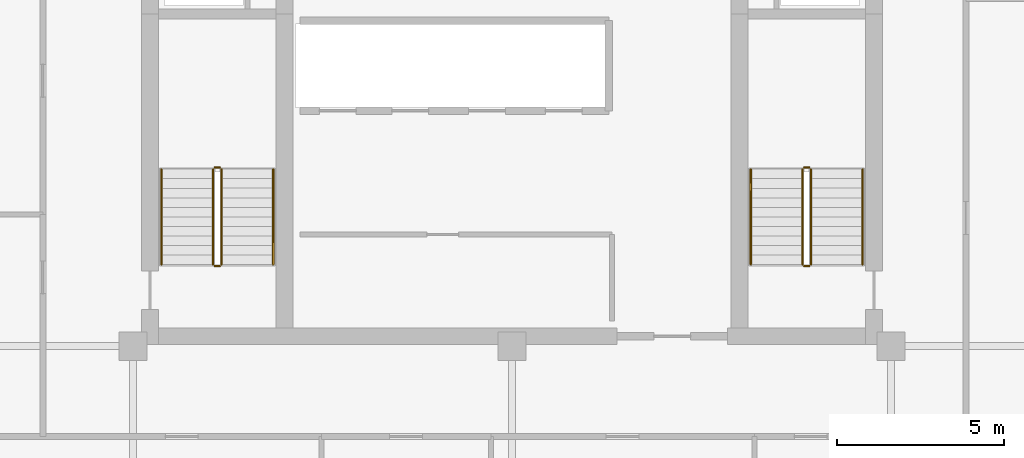
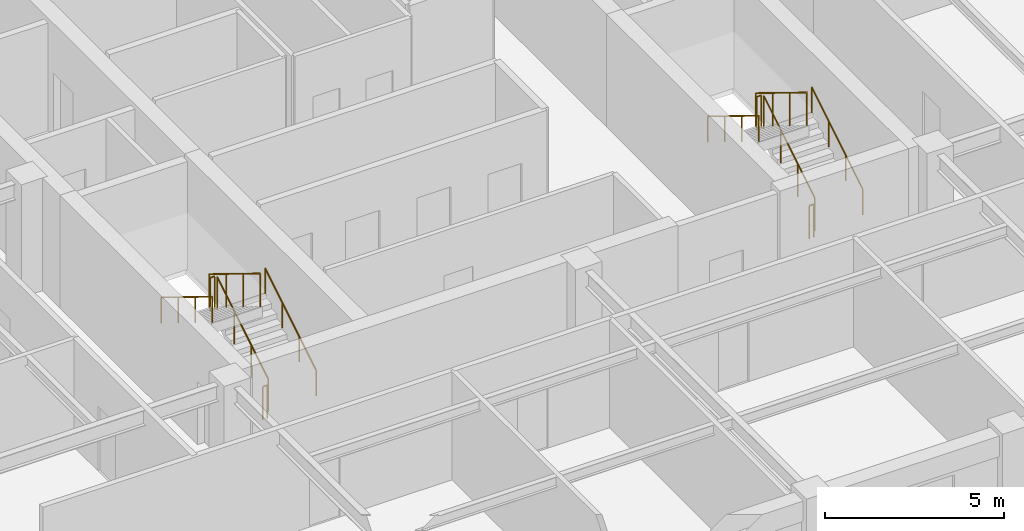
# One storey, part 6 of 6: 12 railings.
"""IFC4 building model written with IfcOpenShell, lengths in metres."""

from ifc_helpers import new_model, si_unit, direction, frame, origin, origin_2d, place, context, subcontext, project, spatial, circle, extrude, material, type_object, element, save


model = new_model("IFC4")

# Units and contexts
model_context = context("Model", 3, precision=1e-05, world=origin(), true_north=direction((0.0, 1.0)))
body_context = subcontext(model_context, "Body", "Model", "MODEL_VIEW")
ifc_project = project(units=[si_unit("LENGTHUNIT", "METRE"), si_unit("AREAUNIT", "SQUARE_METRE"), si_unit("VOLUMEUNIT", "CUBIC_METRE"), si_unit("PLANEANGLEUNIT", "RADIAN"), si_unit("MASSUNIT", "GRAM", prefix="KILO")], contexts=[model_context])

# Site, building, storey
site_placement = place(None, origin())
site = spatial("IfcSite", under=ifc_project, at=site_placement, CompositionType="ELEMENT")
building_placement = place(site_placement, origin())
building = spatial("IfcBuilding", under=site, at=building_placement, Name="Nhamokura Convention Tower", CompositionType="ELEMENT")
storey_placement = place(building_placement, frame((0.0, 0.0, 225.39990234375)))
storey = spatial("IfcBuildingStorey", under=building, at=storey_placement, Name="L55", CompositionType="ELEMENT", Elevation=225.39990234375)

# Railings
ifc_material_1 = material(Name="Anodised bronze stainless steel", Category="steel")
railing_type_1 = type_object("IfcRailingType", Name="StairWallHandrail_900", PredefinedType="HANDRAIL", material=ifc_material_1)
railing_1_placement = place(storey_placement, frame((24.85009765625, 23.10009765625, 0.175048828125)))
element("IfcRailing", 1, at=railing_1_placement, inside=storey, type_object=railing_type_1, Name="L55 ST-01 stair handrail 1", PredefinedType="HANDRAIL", context=body_context, shape_type="SweptSolid", body=[
    extrude(circle(Radius=0.02392578125, at=origin_2d()), frame((0.0, 0.0, 0.8759765625), z_axis=(0.0, 0.852159232446, 0.523282564737), x_axis=(-1.0, 0.0, 0.0)), (0.0, 0.0, 1.0), 3.34423828125),
    extrude(circle(Radius=0.02099609375, at=origin_2d()), origin(), (0.0, 0.0, 1.0), 0.851806640625),
    extrude(circle(Radius=0.02099609375, at=origin_2d()), frame((0.0, 0.949951171875, 0.583251953125)), (0.0, 0.0, 1.0), 0.851806640625),
    extrude(circle(Radius=0.02099609375, at=origin_2d()), frame((0.0, 1.89990234375, 1.166748046875)), (0.0, 0.0, 1.0), 0.851806640625),
    extrude(circle(Radius=0.02099609375, at=origin_2d()), frame((0.0, 2.849853515625, 1.75)), (0.0, 0.0, 1.0), 0.851806640625),
])
railing_2_placement = place(storey_placement, frame((21.5, 25.949951171875, 2.10009765625)))
element("IfcRailing", 2, at=railing_2_placement, inside=storey, type_object=railing_type_1, Name="L55 ST-01 stair handrail 2", PredefinedType="HANDRAIL", context=body_context, shape_type="SweptSolid", body=[
    extrude(circle(Radius=0.02392578125, at=origin_2d()), frame((0.0, 0.0, 0.8759765625), z_axis=(0.0, -0.852159232446, 0.523282564737), x_axis=(1.0, 0.0, 0.0)), (0.0, 0.0, 1.0), 3.34423828125),
    extrude(circle(Radius=0.02099609375, at=origin_2d()), origin(), (0.0, 0.0, 1.0), 0.851806640625),
    extrude(circle(Radius=0.02099609375, at=origin_2d()), frame((0.0, -0.949951171875, 0.583251953125)), (0.0, 0.0, 1.0), 0.851806640625),
    extrude(circle(Radius=0.02099609375, at=origin_2d()), frame((0.0, -1.89990234375, 1.166748046875)), (0.0, 0.0, 1.0), 0.851806640625),
    extrude(circle(Radius=0.02099609375, at=origin_2d()), frame((0.0, -2.849853515625, 1.75)), (0.0, 0.0, 1.0), 0.851806640625),
])
railing_3_placement = place(storey_placement, frame((42.5, 23.10009765625, 0.175048828125)))
element("IfcRailing", 3, at=railing_3_placement, inside=storey, type_object=railing_type_1, Name="L55 ST-02 stair handrail 1", PredefinedType="HANDRAIL", context=body_context, shape_type="SweptSolid", body=[
    extrude(circle(Radius=0.02392578125, at=origin_2d()), frame((0.0, 0.0, 0.8759765625), z_axis=(0.0, 0.852159232446, 0.523282564737), x_axis=(-1.0, 0.0, 0.0)), (0.0, 0.0, 1.0), 3.34423828125),
    extrude(circle(Radius=0.02099609375, at=origin_2d()), origin(), (0.0, 0.0, 1.0), 0.851806640625),
    extrude(circle(Radius=0.02099609375, at=origin_2d()), frame((0.0, 0.949951171875, 0.583251953125)), (0.0, 0.0, 1.0), 0.851806640625),
    extrude(circle(Radius=0.02099609375, at=origin_2d()), frame((0.0, 1.89990234375, 1.166748046875)), (0.0, 0.0, 1.0), 0.851806640625),
    extrude(circle(Radius=0.02099609375, at=origin_2d()), frame((0.0, 2.849853515625, 1.75)), (0.0, 0.0, 1.0), 0.851806640625),
])
railing_4_placement = place(storey_placement, frame((39.14990234375, 25.949951171875, 2.10009765625)))
element("IfcRailing", 4, at=railing_4_placement, inside=storey, type_object=railing_type_1, Name="L55 ST-02 stair handrail 2", PredefinedType="HANDRAIL", context=body_context, shape_type="SweptSolid", body=[
    extrude(circle(Radius=0.02392578125, at=origin_2d()), frame((0.0, 0.0, 0.8759765625), z_axis=(0.0, -0.852159232446, 0.523282564737), x_axis=(1.0, 0.0, 0.0)), (0.0, 0.0, 1.0), 3.34423828125),
    extrude(circle(Radius=0.02099609375, at=origin_2d()), origin(), (0.0, 0.0, 1.0), 0.851806640625),
    extrude(circle(Radius=0.02099609375, at=origin_2d()), frame((0.0, -0.949951171875, 0.583251953125)), (0.0, 0.0, 1.0), 0.851806640625),
    extrude(circle(Radius=0.02099609375, at=origin_2d()), frame((0.0, -1.89990234375, 1.166748046875)), (0.0, 0.0, 1.0), 0.851806640625),
    extrude(circle(Radius=0.02099609375, at=origin_2d()), frame((0.0, -2.849853515625, 1.75)), (0.0, 0.0, 1.0), 0.851806640625),
])
ifc_material_2 = material(Name="Painted tubular steel", Category="steel")
railing_type_2 = type_object("IfcRailingType", Name="StairWellGuardrail_1150", PredefinedType="GUARDRAIL", material=ifc_material_2)
railing_5_placement = place(storey_placement, frame((23.300048828125, 23.10009765625, 0.175048828125)))
element("IfcRailing", 5, at=railing_5_placement, inside=storey, type_object=railing_type_2, Name="L55 ST-01 stair guard 1", PredefinedType="GUARDRAIL", context=body_context, shape_type="SweptSolid", body=[
    extrude(circle(Radius=0.02392578125, at=origin_2d()), frame((0.0, 0.0, 1.1259765625), z_axis=(0.0, 0.852159232446, 0.523282564737), x_axis=(-1.0, 0.0, 0.0)), (0.0, 0.0, 1.0), 3.34423828125),
    extrude(circle(Radius=0.02099609375, at=origin_2d()), origin(), (0.0, 0.0, 1.0), 1.101806640625),
    extrude(circle(Radius=0.02099609375, at=origin_2d()), frame((0.0, 0.949951171875, 0.583251953125)), (0.0, 0.0, 1.0), 1.101806640625),
    extrude(circle(Radius=0.02099609375, at=origin_2d()), frame((0.0, 1.89990234375, 1.166748046875)), (0.0, 0.0, 1.0), 1.101806640625),
    extrude(circle(Radius=0.02099609375, at=origin_2d()), frame((0.0, 2.849853515625, 1.75)), (0.0, 0.0, 1.0), 1.101806640625),
])
railing_6_placement = place(storey_placement, frame((23.25, 26.0, 1.925048828125)))
element("IfcRailing", 6, at=railing_6_placement, inside=storey, type_object=railing_type_2, Name="L55 ST-01 stair guard 2", PredefinedType="GUARDRAIL", context=body_context, shape_type="SweptSolid", body=[
    extrude(circle(Radius=0.02392578125, at=origin_2d()), frame((0.0, 0.0, 1.1259765625), z_axis=(-1.0, 0.0, 0.0), x_axis=(0.0, -1.0, 0.0)), (0.0, 0.0, 1.0), 0.14990234375),
    extrude(circle(Radius=0.02099609375, at=origin_2d()), origin(), (0.0, 0.0, 1.0), 1.101806640625),
    extrude(circle(Radius=0.02099609375, at=origin_2d()), frame((-0.14990234375, 0.0, 0.0)), (0.0, 0.0, 1.0), 1.101806640625),
])
railing_7_placement = place(storey_placement, frame((23.050048828125, 25.949951171875, 2.10009765625)))
element("IfcRailing", 7, at=railing_7_placement, inside=storey, type_object=railing_type_2, Name="L55 ST-01 stair guard 3", PredefinedType="GUARDRAIL", context=body_context, shape_type="SweptSolid", body=[
    extrude(circle(Radius=0.02392578125, at=origin_2d()), frame((0.0, 0.0, 1.1259765625), z_axis=(0.0, -0.852159232446, 0.523282564737), x_axis=(1.0, 0.0, 0.0)), (0.0, 0.0, 1.0), 3.34423828125),
    extrude(circle(Radius=0.02099609375, at=origin_2d()), origin(), (0.0, 0.0, 1.0), 1.101806640625),
    extrude(circle(Radius=0.02099609375, at=origin_2d()), frame((0.0, -0.949951171875, 0.583251953125)), (0.0, 0.0, 1.0), 1.101806640625),
    extrude(circle(Radius=0.02099609375, at=origin_2d()), frame((0.0, -1.89990234375, 1.166748046875)), (0.0, 0.0, 1.0), 1.101806640625),
    extrude(circle(Radius=0.02099609375, at=origin_2d()), frame((0.0, -2.849853515625, 1.75)), (0.0, 0.0, 1.0), 1.101806640625),
])
railing_8_placement = place(storey_placement, frame((23.25, 23.050048828125, 0.0)))
element("IfcRailing", 8, at=railing_8_placement, inside=storey, type_object=railing_type_2, Name="L55 ST-01 stair guard 4", PredefinedType="GUARDRAIL", context=body_context, shape_type="SweptSolid", body=[
    extrude(circle(Radius=0.02392578125, at=origin_2d()), frame((0.0, 0.0, 1.1259765625), z_axis=(-1.0, 0.0, 0.0), x_axis=(0.0, -1.0, 0.0)), (0.0, 0.0, 1.0), 0.14990234375),
    extrude(circle(Radius=0.02099609375, at=origin_2d()), origin(), (0.0, 0.0, 1.0), 1.101806640625),
    extrude(circle(Radius=0.02099609375, at=origin_2d()), frame((-0.14990234375, 0.0, 0.0)), (0.0, 0.0, 1.0), 1.101806640625),
])
railing_9_placement = place(storey_placement, frame((40.949951171875, 23.10009765625, 0.175048828125)))
element("IfcRailing", 9, at=railing_9_placement, inside=storey, type_object=railing_type_2, Name="L55 ST-02 stair guard 1", PredefinedType="GUARDRAIL", context=body_context, shape_type="SweptSolid", body=[
    extrude(circle(Radius=0.02392578125, at=origin_2d()), frame((0.0, 0.0, 1.1259765625), z_axis=(0.0, 0.852159232446, 0.523282564737), x_axis=(-1.0, 0.0, 0.0)), (0.0, 0.0, 1.0), 3.34423828125),
    extrude(circle(Radius=0.02099609375, at=origin_2d()), origin(), (0.0, 0.0, 1.0), 1.101806640625),
    extrude(circle(Radius=0.02099609375, at=origin_2d()), frame((0.0, 0.949951171875, 0.583251953125)), (0.0, 0.0, 1.0), 1.101806640625),
    extrude(circle(Radius=0.02099609375, at=origin_2d()), frame((0.0, 1.89990234375, 1.166748046875)), (0.0, 0.0, 1.0), 1.101806640625),
    extrude(circle(Radius=0.02099609375, at=origin_2d()), frame((0.0, 2.849853515625, 1.75)), (0.0, 0.0, 1.0), 1.101806640625),
])
railing_10_placement = place(storey_placement, frame((40.89990234375, 26.0, 1.925048828125)))
element("IfcRailing", 10, at=railing_10_placement, inside=storey, type_object=railing_type_2, Name="L55 ST-02 stair guard 2", PredefinedType="GUARDRAIL", context=body_context, shape_type="SweptSolid", body=[
    extrude(circle(Radius=0.02392578125, at=origin_2d()), frame((0.0, 0.0, 1.1259765625), z_axis=(-1.0, 0.0, 0.0), x_axis=(0.0, -1.0, 0.0)), (0.0, 0.0, 1.0), 0.14990234375),
    extrude(circle(Radius=0.02099609375, at=origin_2d()), origin(), (0.0, 0.0, 1.0), 1.101806640625),
    extrude(circle(Radius=0.02099609375, at=origin_2d()), frame((-0.14990234375, 0.0, 0.0)), (0.0, 0.0, 1.0), 1.101806640625),
])
railing_11_placement = place(storey_placement, frame((40.699951171875, 25.949951171875, 2.10009765625)))
element("IfcRailing", 11, at=railing_11_placement, inside=storey, type_object=railing_type_2, Name="L55 ST-02 stair guard 3", PredefinedType="GUARDRAIL", context=body_context, shape_type="SweptSolid", body=[
    extrude(circle(Radius=0.02392578125, at=origin_2d()), frame((0.0, 0.0, 1.1259765625), z_axis=(0.0, -0.852159232446, 0.523282564737), x_axis=(1.0, 0.0, 0.0)), (0.0, 0.0, 1.0), 3.34423828125),
    extrude(circle(Radius=0.02099609375, at=origin_2d()), origin(), (0.0, 0.0, 1.0), 1.101806640625),
    extrude(circle(Radius=0.02099609375, at=origin_2d()), frame((0.0, -0.949951171875, 0.583251953125)), (0.0, 0.0, 1.0), 1.101806640625),
    extrude(circle(Radius=0.02099609375, at=origin_2d()), frame((0.0, -1.89990234375, 1.166748046875)), (0.0, 0.0, 1.0), 1.101806640625),
    extrude(circle(Radius=0.02099609375, at=origin_2d()), frame((0.0, -2.849853515625, 1.75)), (0.0, 0.0, 1.0), 1.101806640625),
])
railing_12_placement = place(storey_placement, frame((40.89990234375, 23.050048828125, 0.0)))
element("IfcRailing", 12, at=railing_12_placement, inside=storey, type_object=railing_type_2, Name="L55 ST-02 stair guard 4", PredefinedType="GUARDRAIL", context=body_context, shape_type="SweptSolid", body=[
    extrude(circle(Radius=0.02392578125, at=origin_2d()), frame((0.0, 0.0, 1.1259765625), z_axis=(-1.0, 0.0, 0.0), x_axis=(0.0, -1.0, 0.0)), (0.0, 0.0, 1.0), 0.14990234375),
    extrude(circle(Radius=0.02099609375, at=origin_2d()), origin(), (0.0, 0.0, 1.0), 1.101806640625),
    extrude(circle(Radius=0.02099609375, at=origin_2d()), frame((-0.14990234375, 0.0, 0.0)), (0.0, 0.0, 1.0), 1.101806640625),
])

save(model, "model.ifc")
